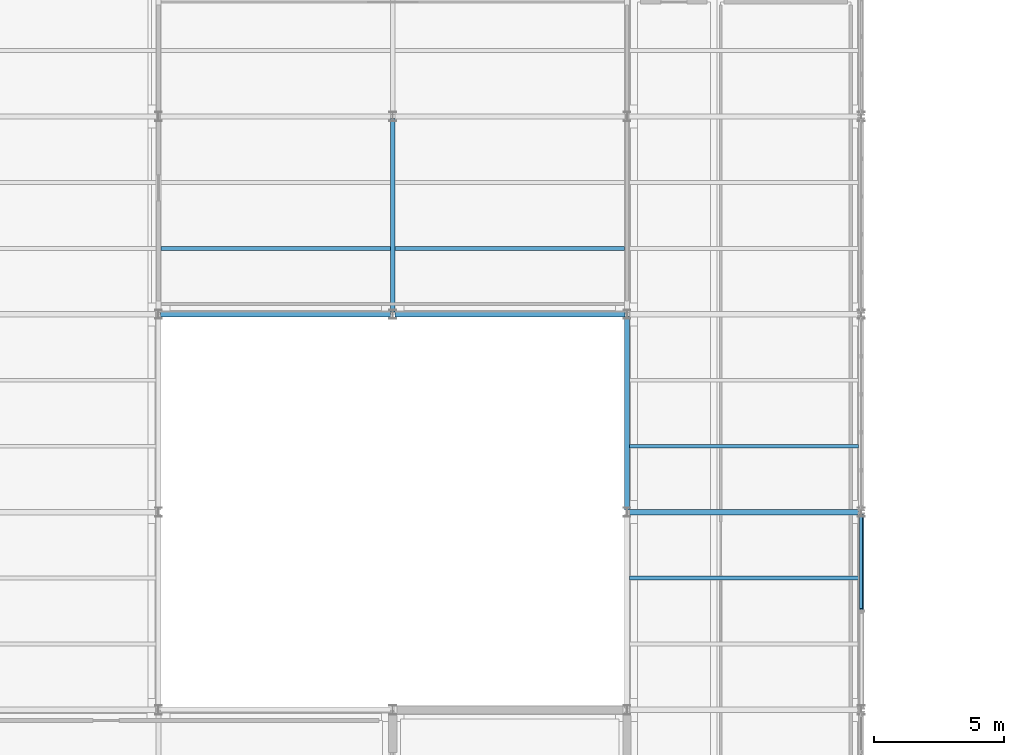
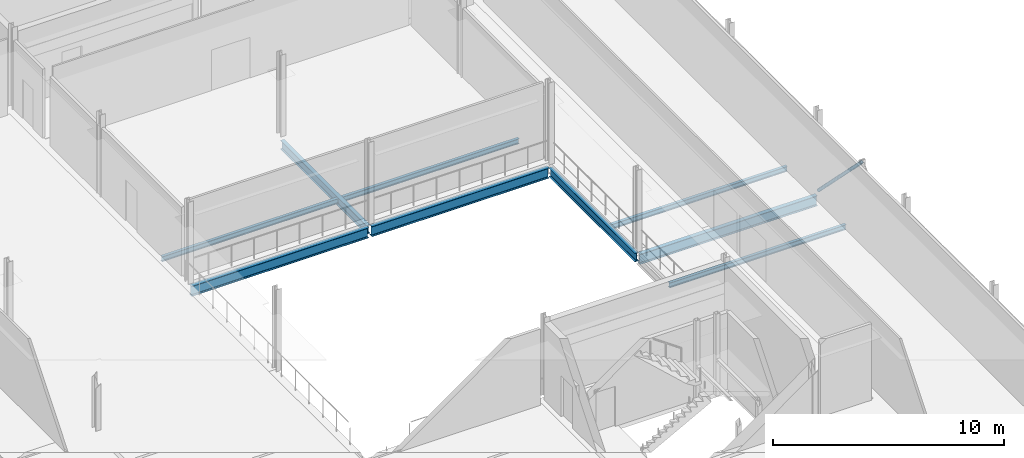
# One storey, part 121 of 174: 9 beams, 1 member.
"""IFC4 building model written with IfcOpenShell, lengths in metres."""

from ifc_helpers import new_model, si_unit, direction, frame, origin, origin_2d, place, context, subcontext, project, spatial, hollow_circle, i_section, extrude, material, material_profile, profile_set, type_object, element, save


model = new_model("IFC4")

# Units and contexts
model_context = context("Model", 3, precision=1e-05, world=origin(), true_north=direction((0.0, 1.0)))
body_context = subcontext(model_context, "Body", "Model", "MODEL_VIEW")
ifc_project = project(units=[si_unit("LENGTHUNIT", "METRE"), si_unit("AREAUNIT", "SQUARE_METRE"), si_unit("VOLUMEUNIT", "CUBIC_METRE"), si_unit("PLANEANGLEUNIT", "RADIAN"), si_unit("MASSUNIT", "GRAM", prefix="KILO")], contexts=[model_context])

# Site, building, storey
site_placement = place(None, origin())
site = spatial("IfcSite", under=ifc_project, at=site_placement, CompositionType="ELEMENT")
building_placement = place(site_placement, origin())
building = spatial("IfcBuilding", under=site, at=building_placement, Name="Caisbarro Railhouse Central Library", CompositionType="ELEMENT")
storey_placement = place(building_placement, frame((0.0, 0.0, 5.0400390625)))
storey = spatial("IfcBuildingStorey", under=building, at=storey_placement, Name="L01", CompositionType="ELEMENT", Elevation=5.0400390625)

# Beams
ifc_material = material(Name="Steel ASTM A572 Grade 50", Category="steel")
ifc_material_profile_1 = material_profile(ifc_material, i_section(OverallWidth=0.208984375, OverallDepth=0.532958984375, WebThickness=0.01025390625, FlangeThickness=0.015625, FilletRadius=0.02001953125, at=origin_2d()), Name="W530X92.0")
ifc_profile_set_1 = profile_set([ifc_material_profile_1], Name="Steel ASTM A572 Grade 50")
beam_type_1 = type_object("IfcBeamType", Name="BM-G06", PredefinedType="BEAM", material=ifc_profile_set_1)
for number, where, z_axis, x_axis, name in (
    (1, (144.080078125, 83.60009765625, -0.486572265625), (1.0, 0.0, 0.0), (0.0, 1.0, 0.0), "G06 beam L01 #914"),
    (2, (126.080078125, 91.199951171875, -0.486572265625), (1.0, 0.0, 0.0), (0.0, 1.0, 0.0), "G06 beam L01 #916"),
    (3, (135.080078125, 91.199951171875, -0.486572265625), (1.0, 0.0, 0.0), (0.0, 1.0, 0.0), "G06 beam L01 #917"),
):
    element("IfcBeam", number, at=place(storey_placement, frame(where, z_axis=z_axis, x_axis=x_axis)), inside=storey, type_object=beam_type_1, Name=name, PredefinedType="BEAM", context=body_context, shape_type="SweptSolid", body=[
        extrude(i_section(OverallWidth=0.208984375, OverallDepth=0.532958984375, WebThickness=0.01025390625, FlangeThickness=0.015625, FilletRadius=0.02001953125, at=origin_2d()), origin(), (0.0, 0.0, 1.0), 8.83984375),
    ])
ifc_material_profile_2 = material_profile(ifc_material, i_section(OverallWidth=0.18994140625, OverallDepth=0.45703125, WebThickness=0.009033203125, FlangeThickness=0.014404296875, FilletRadius=0.01806640625, at=origin_2d()), Name="W460X74.0")
ifc_profile_set_2 = profile_set([ifc_material_profile_2], Name="Steel ASTM A572 Grade 50")
beam_type_2 = type_object("IfcBeamType", Name="BM-G08", PredefinedType="BEAM", material=ifc_profile_set_2)
beam_1_placement = place(storey_placement, frame((135.0, 91.280029296875, -0.448486328125), z_axis=(0.0, 1.0, 0.0), x_axis=(-1.0, 0.0, 0.0)))
element("IfcBeam", 4, at=beam_1_placement, inside=storey, type_object=beam_type_2, Name="G08 beam L01 #947", PredefinedType="BEAM", context=body_context, shape_type="SweptSolid", body=[
    extrude(i_section(OverallWidth=0.18994140625, OverallDepth=0.45703125, WebThickness=0.009033203125, FlangeThickness=0.014404296875, FilletRadius=0.01806640625, at=origin_2d()), origin(), (0.0, 0.0, 1.0), 7.43994140625),
])
beam_2_placement = place(storey_placement, frame((144.0, 83.679931640625, -0.448486328125), z_axis=(0.0, 1.0, 0.0), x_axis=(-1.0, 0.0, 0.0)))
element("IfcBeam", 5, at=beam_2_placement, inside=storey, type_object=beam_type_2, Name="G08 beam L01 #953", PredefinedType="BEAM", context=body_context, shape_type="SweptSolid", body=[
    extrude(i_section(OverallWidth=0.18994140625, OverallDepth=0.45703125, WebThickness=0.009033203125, FlangeThickness=0.014404296875, FilletRadius=0.01806640625, at=origin_2d()), origin(), (0.0, 0.0, 1.0), 7.440185546875),
])
ifc_material_profile_3 = material_profile(ifc_material, i_section(OverallWidth=0.14794921875, OverallDepth=0.26611328125, WebThickness=0.007568359375, FlangeThickness=0.012939453125, FilletRadius=0.010009765625, at=origin_2d()), Name="W250X44.8")
ifc_profile_set_3 = profile_set([ifc_material_profile_3], Name="Steel ASTM A572 Grade 50")
beam_type_3 = type_object("IfcBeamType", Name="BM-J04", PredefinedType="JOIST", material=ifc_profile_set_3)
for number, where, z_axis, x_axis, name in (
    (6, (126.094970703125, 93.7333984375, -0.35302734375), (1.0, 0.0, 0.0), (0.0, 1.0, 0.0), "J04 beam L01 #982"),
    (7, (135.094970703125, 93.7333984375, -0.35302734375), (1.0, 0.0, 0.0), (0.0, 1.0, 0.0), "J04 beam L01 #988"),
):
    element("IfcBeam", number, at=place(storey_placement, frame(where, z_axis=z_axis, x_axis=x_axis)), inside=storey, type_object=beam_type_3, Name=name, PredefinedType="JOIST", context=body_context, shape_type="SweptSolid", body=[
        extrude(i_section(OverallWidth=0.14794921875, OverallDepth=0.26611328125, WebThickness=0.007568359375, FlangeThickness=0.012939453125, FilletRadius=0.010009765625, at=origin_2d()), origin(), (0.0, 0.0, 1.0), 8.81005859375),
    ])
for number, where, z_axis, x_axis, name in (
    (8, (144.094970703125, 81.066650390625, -0.35302734375), (1.0, 0.0, 0.0), (0.0, 1.0, 0.0), "J04 beam L01 #999"),
    (9, (144.094970703125, 86.13330078125, -0.35302734375), (1.0, 0.0, 0.0), (0.0, 1.0, 0.0), "J04 beam L01 #1000"),
):
    element("IfcBeam", number, at=place(storey_placement, frame(where, z_axis=z_axis, x_axis=x_axis)), inside=storey, type_object=beam_type_3, Name=name, PredefinedType="JOIST", context=body_context, shape_type="SweptSolid", body=[
        extrude(i_section(OverallWidth=0.14794921875, OverallDepth=0.26611328125, WebThickness=0.007568359375, FlangeThickness=0.012939453125, FilletRadius=0.010009765625, at=origin_2d()), origin(), (0.0, 0.0, 1.0), 8.804931640625),
    ])

# Member
ifc_material_profile_4 = material_profile(ifc_material, hollow_circle(Radius=0.084228515625, WallThickness=0.008056640625, at=origin_2d()), Name="CHS168.3X8")
ifc_profile_set_4 = profile_set([ifc_material_profile_4], Name="Steel ASTM A572 Grade 50")
member_type = type_object("IfcMemberType", Name="MEM-BR04", PredefinedType="BRACE", material=ifc_profile_set_4)
member_placement = place(storey_placement, frame((153.0, 83.5400390625, 0.02001953125), z_axis=(0.0, -0.705196384846, 0.709012030082), x_axis=(1.0, 0.0, 0.0)))
element("IfcMember", 10, at=member_placement, inside=storey, type_object=member_type, Name="BR04 chevron brace X153 L01.2", PredefinedType="BRACE", context=body_context, shape_type="SweptSolid", body=[
    extrude(hollow_circle(Radius=0.084228515625, WallThickness=0.008056640625, at=origin_2d()), origin(), (0.0, 0.0, 1.0), 5.24658203125),
])

save(model, "model.ifc")
